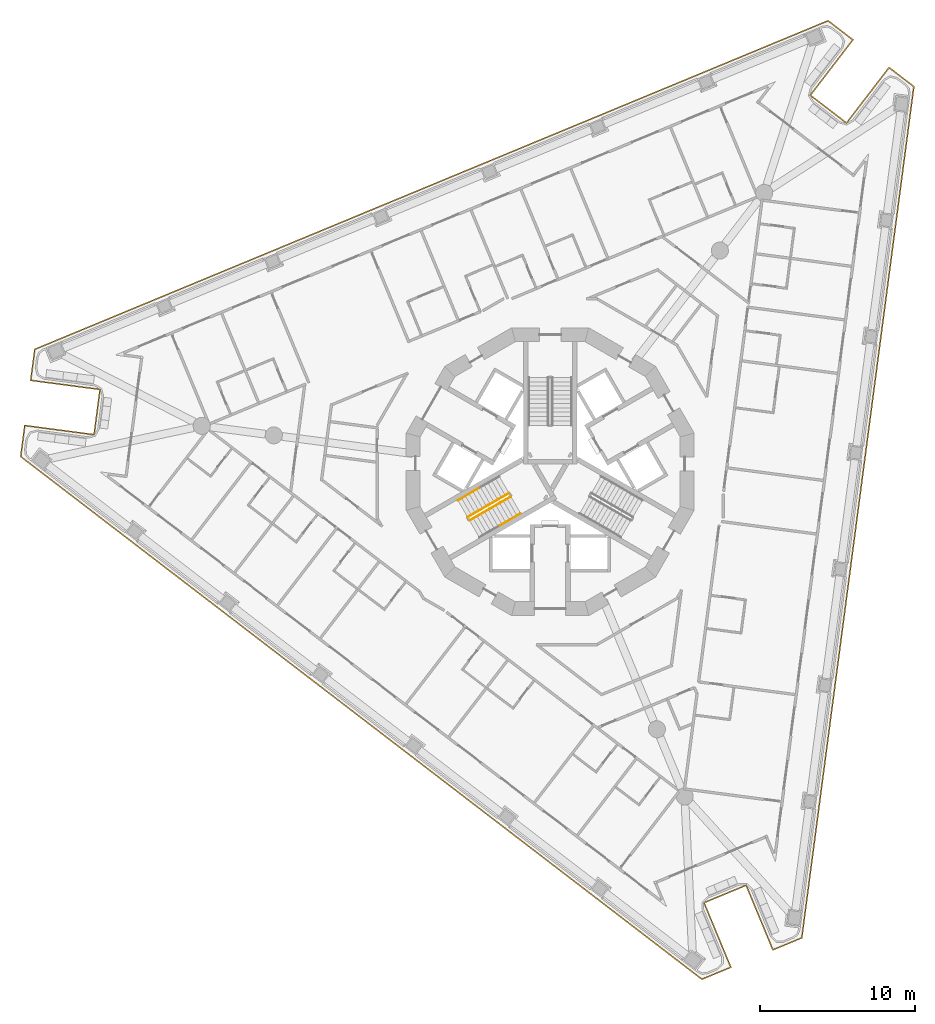
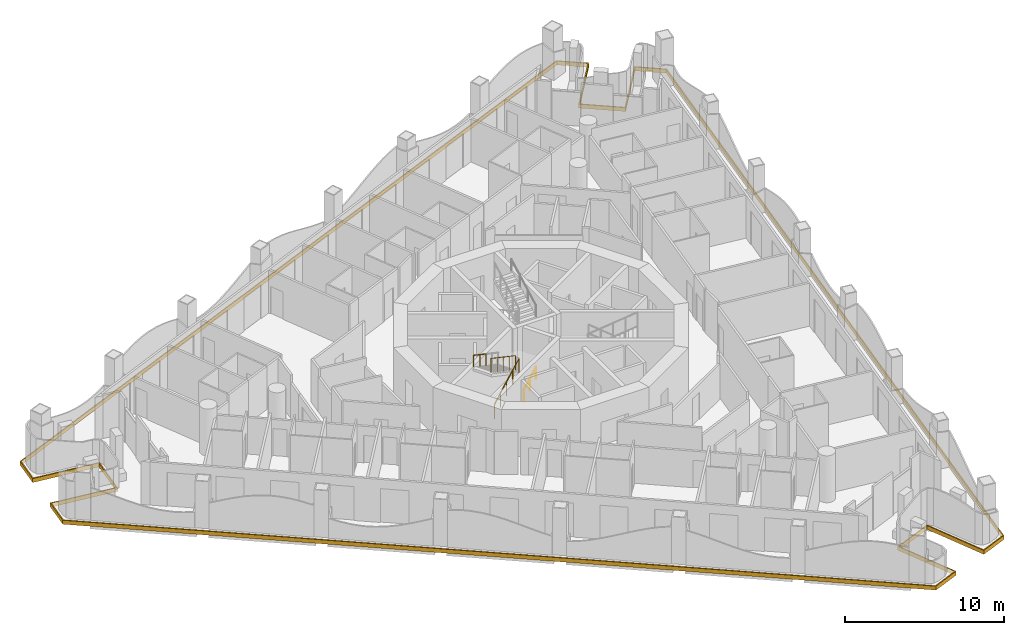
# One storey, part 12 of 17: 4 railings, 1 covering.
"""IFC4 building model written with IfcOpenShell, lengths in metres."""

import ifcopenshell
import ifcopenshell.guid

model = None  # the IFC model being written
_history = None  # IfcOwnerHistory: only IFC2X3 demands one
_inside = {}  # id of a spatial element -> (the spatial element, [elements in it])
_under = {}  # id of a project, library or spatial element -> (it, [spatial elements below it])
_declared = {}  # id of a project -> (the project, [libraries it declares])
_typed = {}  # id of a type object -> (the type object, [elements of that type])
_made_of = {}  # id of a material, layer set ... -> (it, [elements and type objects made of it])


def new_model(schema):
    """Start an empty IFC model of exactly this schema.

    Asked for "IFC4X3", IfcOpenShell would pick the latest addendum, in which some entities
    have other attributes; the version numbers below select the first issue.
    IFC2X3 requires an IfcOwnerHistory on every rooted entity: one is made here for all.
    """
    global model, _history
    if schema == "IFC4X3":
        model = ifcopenshell.file(schema_version=(4, 3, 0, 0))
    else:
        model = ifcopenshell.file(schema=schema)
    _inside.clear()
    _under.clear()
    _declared.clear()
    _typed.clear()
    _made_of.clear()
    _history = None
    if model.schema == "IFC2X3":
        org = make("IfcOrganization", Name="unknown")
        user = make(
            "IfcPersonAndOrganization",
            ThePerson=make("IfcPerson", FamilyName="unknown"),
            TheOrganization=org,
        )
        app = make(
            "IfcApplication",
            ApplicationDeveloper=org,
            Version="unknown",
            ApplicationFullName="unknown",
            ApplicationIdentifier="unknown",
        )
        _history = make(
            "IfcOwnerHistory",
            OwningUser=user,
            OwningApplication=app,
            ChangeAction="ADDED",
            CreationDate=0,
        )
    return model


def make(cls, **values):
    """One entity of the class cls with the attributes given. An attribute that is None is left unset."""
    return model.create_entity(
        cls, **{name: value for name, value in values.items() if value is not None}
    )


def rooted(cls, **values):
    """An entity with a GlobalId (a new one), such as an element, a storey or a relation."""
    return make(cls, GlobalId=ifcopenshell.guid.new(), OwnerHistory=_history, **values)


def si_unit(unit_type, name, prefix=None):
    """IfcSIUnit, for example si_unit("LENGTHUNIT", "METRE", prefix="MILLI")."""
    return make("IfcSIUnit", UnitType=unit_type, Prefix=prefix, Name=name)


def assignment(units):
    """IfcUnitAssignment: the units of a project."""
    return None if units is None else make("IfcUnitAssignment", Units=units)


def point(xyz):
    """IfcCartesianPoint."""
    return None if xyz is None else make("IfcCartesianPoint", Coordinates=xyz)


def direction(xyz):
    """IfcDirection."""
    return None if xyz is None else make("IfcDirection", DirectionRatios=xyz)


def frame(location, z_axis=None, x_axis=None):
    """IfcAxis2Placement3D, a coordinate frame: its origin and axes. An axis left out is left unset."""
    return make(
        "IfcAxis2Placement3D",
        Location=point(location),
        Axis=direction(z_axis),
        RefDirection=direction(x_axis),
    )


def frame_2d(location, x_axis=None):
    """IfcAxis2Placement2D, a coordinate frame in the plane: its origin and x axis."""
    return make(
        "IfcAxis2Placement2D", Location=point(location), RefDirection=direction(x_axis)
    )


def origin():
    """The frame at (0, 0, 0) with its axes left unset."""
    return frame((0.0, 0.0, 0.0))


def origin_2d():
    """The frame at (0, 0) in the plane with its x axis left unset."""
    return frame_2d((0.0, 0.0))


def place(relative_to, where):
    """IfcLocalPlacement: puts the frame where relative to a parent placement (None: the world)."""
    return make(
        "IfcLocalPlacement", PlacementRelTo=relative_to, RelativePlacement=where
    )


def context(
    kind, dimensions, precision=None, world=None, true_north=None, identifier=None
):
    """IfcGeometricRepresentationContext, for example the 3D "Model" context."""
    return make(
        "IfcGeometricRepresentationContext",
        ContextIdentifier=identifier,
        ContextType=kind,
        CoordinateSpaceDimension=dimensions,
        Precision=precision,
        WorldCoordinateSystem=world,
        TrueNorth=true_north,
    )


def subcontext(parent, identifier, kind, view, scale=None):
    """IfcGeometricRepresentationSubContext, for example "Body" below "Model"."""
    return make(
        "IfcGeometricRepresentationSubContext",
        ContextIdentifier=identifier,
        ContextType=kind,
        ParentContext=parent,
        TargetScale=scale,
        TargetView=view,
    )


def project(units=None, contexts=None):
    """IfcProject with its units and contexts."""
    return rooted(
        "IfcProject",
        Name="project",
        RepresentationContexts=contexts,
        UnitsInContext=assignment(units),
    )


def spatial(cls, under=None, at=None, **own):
    """A site, building, storey or space (cls), placed at a placement, below another one or the project."""
    s = rooted(cls, ObjectPlacement=at, **own)
    if under is not None:
        _under.setdefault(under.id(), (under, []))[1].append(s)
    return s


def polyline(points):
    """IfcPolyline through the points."""
    return make("IfcPolyline", Points=[point(p) for p in points])


def profile(cls, at=None, kind="AREA", **sizes):
    """A parametric profile (cls). Its sizes go by their IFC names, for example OverallWidth=200.0."""
    return make(cls, ProfileType=kind, Position=at, **sizes)


def circle(**sizes):
    """IfcCircleProfileDef."""
    return profile("IfcCircleProfileDef", **sizes)


def outline(outer, holes=None, kind="AREA"):
    """IfcArbitraryClosedProfileDef: a profile drawn as a closed curve; with holes, ...WithVoids."""
    if holes is None:
        return make("IfcArbitraryClosedProfileDef", ProfileType=kind, OuterCurve=outer)
    return make(
        "IfcArbitraryProfileDefWithVoids",
        ProfileType=kind,
        OuterCurve=outer,
        InnerCurves=holes,
    )


def extrude(swept, where, along, depth):
    """IfcExtrudedAreaSolid: the profile swept, set in the frame where, extruded along a direction by depth."""
    return make(
        "IfcExtrudedAreaSolid",
        SweptArea=swept,
        Position=where,
        ExtrudedDirection=direction(along),
        Depth=depth,
    )


def shape(context_of_items, identifier, shape_type, items):
    """IfcShapeRepresentation: the items that make up one representation, for example the "Body"."""
    return make(
        "IfcShapeRepresentation",
        ContextOfItems=context_of_items,
        RepresentationIdentifier=identifier,
        RepresentationType=shape_type,
        Items=items,
    )


def material(Name=None, Category=None):
    """IfcMaterial."""
    return make("IfcMaterial", Name=Name, Category=Category)


def layer(
    of_material, thickness, ventilated=None, Name=None, Category=None, Priority=None
):
    """IfcMaterialLayer: one layer of a wall or slab, of a material (None: an air gap)."""
    return make(
        "IfcMaterialLayer",
        Material=of_material,
        LayerThickness=thickness,
        IsVentilated=ventilated,
        Name=Name,
        Category=Category,
        Priority=Priority,
    )


def layer_set(layers, Name=None):
    """IfcMaterialLayerSet."""
    return make("IfcMaterialLayerSet", MaterialLayers=layers, LayerSetName=Name)


def made_of(thing, what):
    """Note that an element or type object is made of a material, layer set ...; save() writes the relation."""
    if what is not None:
        _made_of.setdefault(what.id(), (what, []))[1].append(thing)
    return thing


def type_object(cls, material=None, **own):
    """A type object (cls), such as IfcWallType, which elements share."""
    return made_of(rooted(cls, **own), material)


def element(
    cls,
    number,
    at=None,
    inside=None,
    cuts=None,
    type_object=None,
    material=None,
    context=None,
    identifier="Body",
    shape_type=None,
    held_by="IfcProductDefinitionShape",
    body=None,
    shapes=None,
    **own,
):
    """One element of the class cls, such as IfcWall. Its Tag is "e" and its number.

    at: its placement. inside: the storey or other place that contains it. cuts: it is an
    opening in that element (IfcRelVoidsElement). A single representation is given by context,
    identifier, shape_type and body (its items); several are given by shapes. held_by: the class
    of the entity that holds the representations. save() writes the other relations.
    """
    e = rooted(cls, Tag="e%d" % number, ObjectPlacement=at, **own)
    if body is not None:
        shapes = [shape(context, identifier, shape_type, body)]
    if shapes is not None:
        e.Representation = make(held_by, Representations=shapes)
    if inside is not None:
        _inside.setdefault(inside.id(), (inside, []))[1].append(e)
    if cuts is not None:
        rooted(
            "IfcRelVoidsElement", RelatingBuildingElement=cuts, RelatedOpeningElement=e
        )
    if type_object is not None:
        _typed.setdefault(type_object.id(), (type_object, []))[1].append(e)
    return made_of(e, material)


def aggregate(whole, parts):
    """IfcRelAggregates: a whole, such as a stair, and the parts it consists of."""
    return rooted("IfcRelAggregates", RelatingObject=whole, RelatedObjects=parts)


def save(model, path):
    """Write the relations noted so far, then the file.

    IfcRelAggregates (storeys below a building ...), IfcRelContainedInSpatialStructure (elements
    in a storey), IfcRelDefinesByType, IfcRelAssociatesMaterial and IfcRelDeclares: one each for
    every whole, place, type object, material and project.
    """
    for whole, parts in _under.values():
        aggregate(whole, parts)
    for where, things in _inside.values():
        rooted(
            "IfcRelContainedInSpatialStructure",
            RelatedElements=things,
            RelatingStructure=where,
        )
    for kind, things in _typed.values():
        rooted("IfcRelDefinesByType", RelatedObjects=things, RelatingType=kind)
    for what, things in _made_of.values():
        rooted("IfcRelAssociatesMaterial", RelatedObjects=things, RelatingMaterial=what)
    for by, libraries in _declared.values():
        rooted("IfcRelDeclares", RelatingContext=by, RelatedDefinitions=libraries)
    model.write(path)


model = new_model("IFC4")

# Units and contexts
model_context = context("Model", 3, precision=1e-05, world=origin(), true_north=direction((0.0, 1.0)))
body_context = subcontext(model_context, "Body", "Model", "MODEL_VIEW")
ifc_project = project(units=[si_unit("LENGTHUNIT", "METRE"), si_unit("AREAUNIT", "SQUARE_METRE"), si_unit("VOLUMEUNIT", "CUBIC_METRE"), si_unit("PLANEANGLEUNIT", "RADIAN"), si_unit("MASSUNIT", "GRAM", prefix="KILO")], contexts=[model_context])

# Site, building, storey
site_placement = place(None, origin())
site = spatial("IfcSite", under=ifc_project, at=site_placement, CompositionType="ELEMENT")
building_placement = place(site_placement, origin())
building = spatial("IfcBuilding", under=site, at=building_placement, Name="Trine Commons Tower", CompositionType="ELEMENT")
storey_placement = place(building_placement, frame((0.0, 0.0, 135.0)))
storey = spatial("IfcBuildingStorey", under=building, at=storey_placement, Name="L34", CompositionType="ELEMENT", Elevation=135.0)

# Covering
ifc_material_1 = material(Name="Limestone, honed", Category="masonry")
ifc_layer = layer(ifc_material_1, 0.074951171875)
ifc_layer_set = layer_set([ifc_layer], Name="Limestone, honed")
covering_type = type_object("IfcCoveringType", Name="Limestone spandrel panel 75", PredefinedType="CLADDING", material=ifc_layer_set)
covering_placement = place(storey_placement, frame((0.0, 0.0, -0.300048828125)))
element("IfcCovering", 1, at=covering_placement, inside=storey, type_object=covering_type, Name="Limestone spandrel panel 4-01", PredefinedType="CLADDING", context=body_context, shape_type="SweptSolid", body=[
    extrude(outline(polyline([(92.5986328125, 35.80810546875), (94.32080078125, 31.650634765625), (96.24462890625, 32.447509765625), (103.46923828125, 87.32421875), (101.817138671875, 88.591796875), (99.07763671875, 85.021728515625), (96.816650390625, 86.756591796875), (99.55615234375, 90.326904296875), (97.904052734375, 91.594482421875), (46.76708984375, 70.412841796875), (46.495361328125, 68.348388671875), (50.956787109375, 67.760986328125), (50.584716796875, 64.935302734375), (46.123291015625, 65.522705078125), (45.8515625, 63.4580078125), (89.763671875, 29.762939453125), (91.6875, 30.559814453125), (89.965576171875, 34.71728515625), (92.5986328125, 35.80810546875)]), holes=[polyline([(101.8310546875, 88.48681640625), (103.38916015625, 87.291015625), (96.17578125, 32.500244140625), (94.361328125, 31.74853515625), (92.63916015625, 35.906005859375), (89.867431640625, 34.758056640625), (91.589599609375, 30.6005859375), (89.77490234375, 29.848876953125), (45.931396484375, 63.4912109375), (46.187744140625, 65.4384765625), (50.6494140625, 64.85107421875), (51.041015625, 67.825439453125), (46.579345703125, 68.412841796875), (46.835693359375, 70.360107421875), (97.892578125, 91.508544921875), (99.450927734375, 90.31298828125), (96.71142578125, 86.742919921875), (99.091552734375, 84.91650390625), (101.8310546875, 88.48681640625)])]), origin(), (0.0, 0.0, 1.0), 0.300048828125),
])

# Railings
ifc_material_2 = material(Name="Stainless steel balustrade", Category="steel")
railing_type_1 = type_object("IfcRailingType", Name="Stair guard, steel balustrade 1100", PredefinedType="GUARDRAIL", material=ifc_material_2)
railing_1_placement = place(storey_placement, frame((74.80517578125, 59.3564453125, 0.14990234375)))
element("IfcRailing", 2, at=railing_1_placement, inside=storey, type_object=railing_type_1, Name="L34 ST2B stair guard 1", PredefinedType="GUARDRAIL", context=body_context, shape_type="SweptSolid", body=[
    extrude(circle(Radius=0.02392578125, at=origin_2d()), frame((0.0, 0.0, 1.076171875), z_axis=(0.763379768245, 0.440728498818, 0.472239049384), x_axis=(-0.499992328818, 0.866029832698, 0.0)), (0.0, 0.0, 1.0), 3.494384765625),
    extrude(circle(Radius=0.02099609375, at=origin_2d()), origin(), (0.0, 0.0, 1.0), 1.052001953125),
    extrude(circle(Radius=0.02099609375, at=origin_2d()), frame((0.6669921875, 0.385009765625, 0.41259765625)), (0.0, 0.0, 1.0), 1.052001953125),
    extrude(circle(Radius=0.02099609375, at=origin_2d()), frame((1.333740234375, 0.77001953125, 0.8251953125)), (0.0, 0.0, 1.0), 1.052001953125),
    extrude(circle(Radius=0.02099609375, at=origin_2d()), frame((2.00048828125, 1.155029296875, 1.237548828125)), (0.0, 0.0, 1.0), 1.052001953125),
    extrude(circle(Radius=0.02099609375, at=origin_2d()), frame((2.66748046875, 1.5400390625, 1.650146484375)), (0.0, 0.0, 1.0), 1.052001953125),
])
railing_2_placement = place(storey_placement, frame((77.34765625, 61.113037109375, 1.949951171875)))
element("IfcRailing", 3, at=railing_2_placement, inside=storey, type_object=railing_type_1, Name="L34 ST2B stair guard 3", PredefinedType="GUARDRAIL", context=body_context, shape_type="SweptSolid", body=[
    extrude(circle(Radius=0.02392578125, at=origin_2d()), frame((0.0, 0.0, 1.076171875), z_axis=(-0.763379768245, -0.440728498818, 0.472239049384), x_axis=(0.499992328818, -0.866029832698, 0.0)), (0.0, 0.0, 1.0), 3.494384765625),
    extrude(circle(Radius=0.02099609375, at=origin_2d()), origin(), (0.0, 0.0, 1.0), 1.052001953125),
    extrude(circle(Radius=0.02099609375, at=origin_2d()), frame((-0.6669921875, -0.385009765625, 0.41259765625)), (0.0, 0.0, 1.0), 1.052001953125),
    extrude(circle(Radius=0.02099609375, at=origin_2d()), frame((-1.333740234375, -0.77001953125, 0.8251953125)), (0.0, 0.0, 1.0), 1.052001953125),
    extrude(circle(Radius=0.02099609375, at=origin_2d()), frame((-2.00048828125, -1.155029296875, 1.237548828125)), (0.0, 0.0, 1.0), 1.052001953125),
    extrude(circle(Radius=0.02099609375, at=origin_2d()), frame((-2.66748046875, -1.5400390625, 1.650146484375)), (0.0, 0.0, 1.0), 1.052001953125),
])
ifc_material_3 = material(Name="Stainless steel handrail", Category="steel")
railing_type_2 = type_object("IfcRailingType", Name="Stair handrail, steel 900", PredefinedType="HANDRAIL", material=ifc_material_3)
railing_3_placement = place(storey_placement, frame((76.763916015625, 59.0439453125, 0.97509765625)))
element("IfcRailing", 4, at=railing_3_placement, inside=storey, type_object=railing_type_2, Name="L34 ST2B stair handrail 2", PredefinedType="HANDRAIL", context=body_context, shape_type="SweptSolid", body=[
    extrude(circle(Radius=0.02099609375, at=origin_2d()), frame((0.0, 0.0, 0.87890625), z_axis=(0.76340495495, 0.440743040072, 0.472184759798), x_axis=(-0.499992328818, 0.866029832698, 0.0)), (0.0, 0.0, 1.0), 1.7470703125),
    extrude(circle(Radius=0.01513671875, at=origin_2d()), origin(), (0.0, 0.0, 1.0), 0.85791015625),
    extrude(circle(Radius=0.01513671875, at=origin_2d()), frame((0.6669921875, 0.385009765625, 0.41259765625)), (0.0, 0.0, 1.0), 0.85791015625),
    extrude(circle(Radius=0.01513671875, at=origin_2d()), frame((1.333740234375, 0.77001953125, 0.824951171875)), (0.0, 0.0, 1.0), 0.85791015625),
])
railing_4_placement = place(storey_placement, frame((75.388916015625, 61.425537109375, 2.77490234375)))
element("IfcRailing", 5, at=railing_4_placement, inside=storey, type_object=railing_type_2, Name="L34 ST2B stair handrail 4", PredefinedType="HANDRAIL", context=body_context, shape_type="SweptSolid", body=[
    extrude(circle(Radius=0.02099609375, at=origin_2d()), frame((0.0, 0.0, 0.87890625), z_axis=(-0.763354580307, -0.440713956853, 0.472293333596), x_axis=(0.499992328818, -0.866029832698, 0.0)), (0.0, 0.0, 1.0), 1.747314453125),
    extrude(circle(Radius=0.01513671875, at=origin_2d()), origin(), (0.0, 0.0, 1.0), 0.85791015625),
    extrude(circle(Radius=0.01513671875, at=origin_2d()), frame((-0.6669921875, -0.385009765625, 0.41259765625)), (0.0, 0.0, 1.0), 0.85791015625),
    extrude(circle(Radius=0.01513671875, at=origin_2d()), frame((-1.333740234375, -0.77001953125, 0.8251953125)), (0.0, 0.0, 1.0), 0.85791015625),
])

save(model, "model.ifc")
